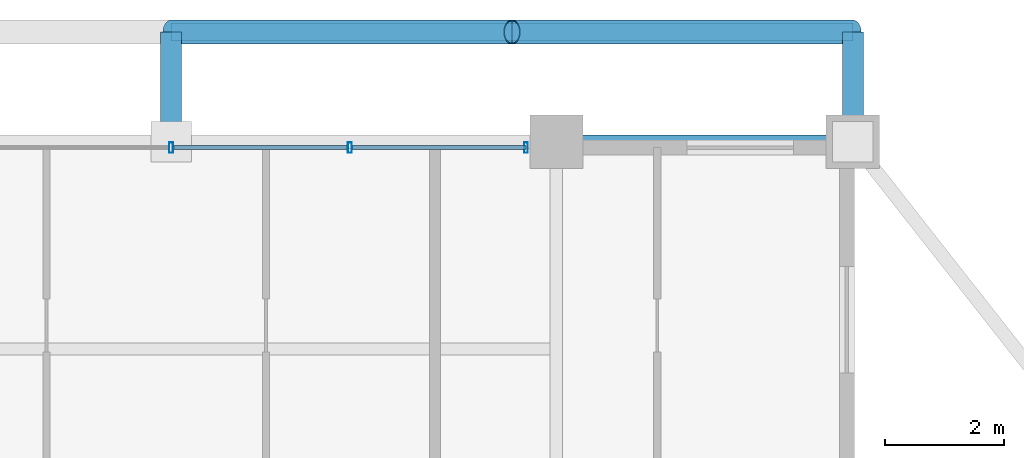
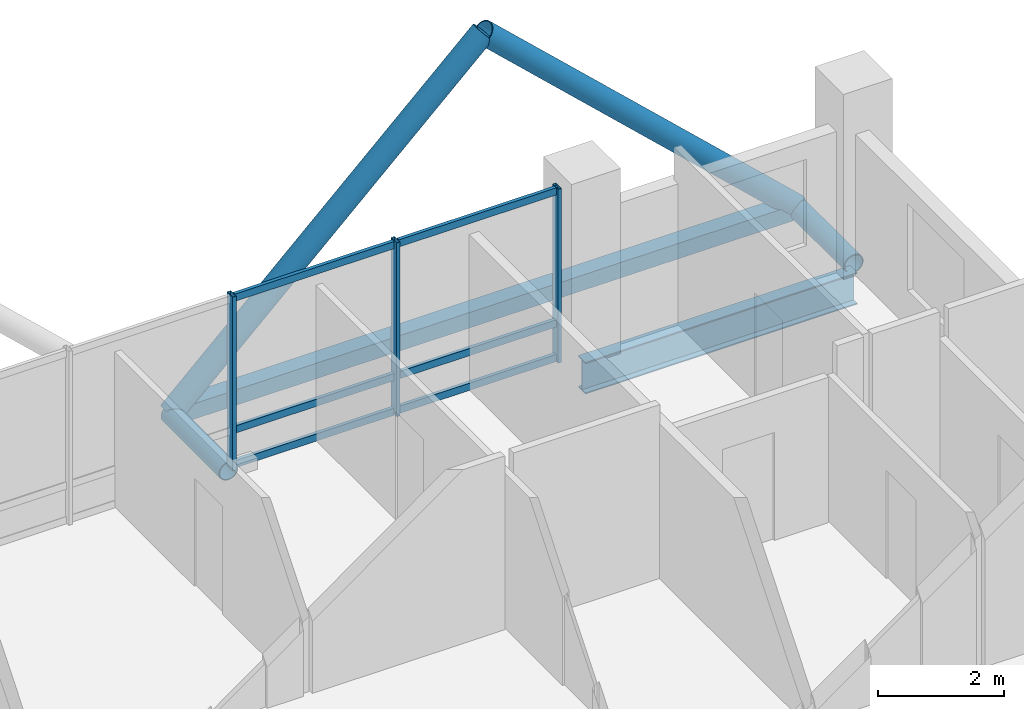
# One storey, part 17 of 24: 14 members, 1 beam, 1 element without a shape of its own.
"""IFC4 building model written with IfcOpenShell, lengths in metres."""

from ifc_helpers import new_model, si_unit, direction, frame, origin, origin_2d, place, context, subcontext, project, spatial, hollow_rectangle, hollow_circle, i_section, extrude, material, layer, layer_set, material_profile, profile_set, type_object, element, aggregate, save


model = new_model("IFC4")

# Units and contexts
model_context = context("Model", 3, precision=1e-05, world=origin(), true_north=direction((0.0, 1.0)))
body_context = subcontext(model_context, "Body", "Model", "MODEL_VIEW")
ifc_project = project(units=[si_unit("LENGTHUNIT", "METRE"), si_unit("AREAUNIT", "SQUARE_METRE"), si_unit("VOLUMEUNIT", "CUBIC_METRE"), si_unit("PLANEANGLEUNIT", "RADIAN"), si_unit("MASSUNIT", "GRAM", prefix="KILO")], contexts=[model_context])

# Site, building, storey
site_placement = place(None, origin())
site = spatial("IfcSite", under=ifc_project, at=site_placement, CompositionType="ELEMENT")
building_placement = place(site_placement, origin())
building = spatial("IfcBuilding", under=site, at=building_placement, Name="Barlavira Tower and Art Museum", CompositionType="ELEMENT")
storey_placement = place(building_placement, frame((0.0, 0.0, 251.10009765625)))
storey = spatial("IfcBuildingStorey", under=building, at=storey_placement, Name="L65", CompositionType="ELEMENT", Elevation=251.10009765625)

# Curtain wall, members
ifc_material_1 = material(Name="Low-iron coastal laminated glass", Category="glass")
ifc_layer = layer(ifc_material_1, 0.2099609375, Name="Low-iron coastal laminated glass")
ifc_layer_set = layer_set([ifc_layer], Name="Low-iron coastal laminated glass")
curtain_wall_type = type_object("IfcCurtainWallType", Name="Pale-Metal Unitised Curtain Wall Zone 4", PredefinedType="NOTDEFINED", material=ifc_layer_set)
curtain_wall_placement = place(storey_placement, origin())
curtain_wall = element("IfcCurtainWall", 1, at=curtain_wall_placement, inside=storey, type_object=curtain_wall_type, Name="L65 Curtain Wall CW4-L65-N-B2", PredefinedType="NOTDEFINED")
ifc_material_2 = material(Name="Pale anodised aluminium", Category="aluminium")
ifc_material_profile_1 = material_profile(ifc_material_2, hollow_rectangle(XDim=0.06494140625, YDim=0.179931640625, WallThickness=0.00390625, at=origin_2d()), Name="ALU-MULL 65x180x4")
ifc_profile_set_1 = profile_set([ifc_material_profile_1], Name="Pale anodised aluminium")
member_type_1 = type_object("IfcMemberType", Name="Curtain Wall Pale-Metal Mullion 65x180", PredefinedType="MULLION", material=ifc_profile_set_1)
member_1_placement = place(storey_placement, frame((5.985107421875, 19.89990234375, 0.0), z_axis=(0.0, 0.0, 1.0), x_axis=(-1.0, 0.0, 0.0)))
member_1 = element("IfcMember", 2, at=member_1_placement, type_object=member_type_1, Name="CW4-L65-N-B2 Mullion 0", PredefinedType="MULLION", context=body_context, shape_type="SweptSolid", body=[
    extrude(hollow_rectangle(XDim=0.06494140625, YDim=0.179931640625, WallThickness=0.00390625, at=origin_2d()), origin(), (0.0, 0.0, 1.0), 3.3798828125),
])
member_2_placement = place(storey_placement, frame((3.014892578125, 19.89990234375, 0.0), z_axis=(0.0, 0.0, 1.0), x_axis=(-1.0, 0.0, 0.0)))
member_2 = element("IfcMember", 3, at=member_2_placement, type_object=member_type_1, Name="CW4-L65-N-B2 Mullion 1", PredefinedType="MULLION", context=body_context, shape_type="SweptSolid", body=[
    extrude(hollow_rectangle(XDim=0.06494140625, YDim=0.179931640625, WallThickness=0.00390625, at=origin_2d()), origin(), (0.0, 0.0, 1.0), 3.3798828125),
])
member_3_placement = place(storey_placement, frame((0.0, 19.89990234375, 0.0), z_axis=(0.0, 0.0, 1.0), x_axis=(-1.0, 0.0, 0.0)))
member_3 = element("IfcMember", 4, at=member_3_placement, type_object=member_type_1, Name="CW4-L65-N-B2 Mullion 2", PredefinedType="MULLION", context=body_context, shape_type="SweptSolid", body=[
    extrude(hollow_rectangle(XDim=0.06494140625, YDim=0.179931640625, WallThickness=0.00390625, at=origin_2d()), origin(), (0.0, 0.0, 1.0), 3.3798828125),
])
ifc_material_profile_2 = material_profile(ifc_material_2, hollow_rectangle(XDim=0.06494140625, YDim=0.139892578125, WallThickness=0.00390625, at=origin_2d()), Name="ALU-TRAN 65x140x4")
ifc_profile_set_2 = profile_set([ifc_material_profile_2], Name="Pale anodised aluminium")
member_type_2 = type_object("IfcMemberType", Name="Curtain Wall Pale-Metal Transom 65x140", PredefinedType="USERDEFINED", material=ifc_profile_set_2)
member_4_placement = place(storey_placement, frame((5.985107421875, 19.89990234375, 0.06982421875), z_axis=(-1.0, 0.0, 0.0), x_axis=(0.0, -1.0, 0.0)))
member_4 = element("IfcMember", 5, at=member_4_placement, type_object=member_type_2, Name="CW4-L65-N-B2 Transom 0.1", ObjectType="TRANSOM", PredefinedType="USERDEFINED", context=body_context, shape_type="SweptSolid", body=[
    extrude(hollow_rectangle(XDim=0.06494140625, YDim=0.139892578125, WallThickness=0.00390625, at=origin_2d()), origin(), (0.0, 0.0, 1.0), 2.925048828125),
])
member_5_placement = place(storey_placement, frame((5.985107421875, 19.89990234375, 0.743896484375), z_axis=(-1.0, 0.0, 0.0), x_axis=(0.0, -1.0, 0.0)))
member_5 = element("IfcMember", 6, at=member_5_placement, type_object=member_type_2, Name="CW4-L65-N-B2 Transom 0.2", ObjectType="TRANSOM", PredefinedType="USERDEFINED", context=body_context, shape_type="SweptSolid", body=[
    extrude(hollow_rectangle(XDim=0.06494140625, YDim=0.139892578125, WallThickness=0.00390625, at=origin_2d()), origin(), (0.0, 0.0, 1.0), 2.925048828125),
])
member_6_placement = place(storey_placement, frame((5.985107421875, 19.89990234375, 3.309814453125), z_axis=(-1.0, 0.0, 0.0), x_axis=(0.0, -1.0, 0.0)))
member_6 = element("IfcMember", 7, at=member_6_placement, type_object=member_type_2, Name="CW4-L65-N-B2 Transom 0.3", ObjectType="TRANSOM", PredefinedType="USERDEFINED", context=body_context, shape_type="SweptSolid", body=[
    extrude(hollow_rectangle(XDim=0.06494140625, YDim=0.139892578125, WallThickness=0.00390625, at=origin_2d()), origin(), (0.0, 0.0, 1.0), 2.925048828125),
])
member_7_placement = place(storey_placement, frame((2.969970703125, 19.89990234375, 0.06982421875), z_axis=(-1.0, 0.0, 0.0), x_axis=(0.0, -1.0, 0.0)))
member_7 = element("IfcMember", 8, at=member_7_placement, type_object=member_type_2, Name="CW4-L65-N-B2 Transom 1.1", ObjectType="TRANSOM", PredefinedType="USERDEFINED", context=body_context, shape_type="SweptSolid", body=[
    extrude(hollow_rectangle(XDim=0.06494140625, YDim=0.139892578125, WallThickness=0.00390625, at=origin_2d()), origin(), (0.0, 0.0, 1.0), 2.925048828125),
])
member_8_placement = place(storey_placement, frame((2.969970703125, 19.89990234375, 0.743896484375), z_axis=(-1.0, 0.0, 0.0), x_axis=(0.0, -1.0, 0.0)))
member_8 = element("IfcMember", 9, at=member_8_placement, type_object=member_type_2, Name="CW4-L65-N-B2 Transom 1.2", ObjectType="TRANSOM", PredefinedType="USERDEFINED", context=body_context, shape_type="SweptSolid", body=[
    extrude(hollow_rectangle(XDim=0.06494140625, YDim=0.139892578125, WallThickness=0.00390625, at=origin_2d()), origin(), (0.0, 0.0, 1.0), 2.925048828125),
])
member_9_placement = place(storey_placement, frame((2.969970703125, 19.89990234375, 3.309814453125), z_axis=(-1.0, 0.0, 0.0), x_axis=(0.0, -1.0, 0.0)))
member_9 = element("IfcMember", 10, at=member_9_placement, type_object=member_type_2, Name="CW4-L65-N-B2 Transom 1.3", ObjectType="TRANSOM", PredefinedType="USERDEFINED", context=body_context, shape_type="SweptSolid", body=[
    extrude(hollow_rectangle(XDim=0.06494140625, YDim=0.139892578125, WallThickness=0.00390625, at=origin_2d()), origin(), (0.0, 0.0, 1.0), 2.925048828125),
])
aggregate(curtain_wall, [member_1, member_2, member_3, member_4, member_5, member_6, member_7, member_8, member_9])

# Members
ifc_material_3 = material(Name="Steel S355", Category="steel")
ifc_material_profile_3 = material_profile(ifc_material_3, hollow_circle(Radius=0.203125, WallThickness=0.01611328125, at=origin_2d()), Name="CHS 406.4x16.0")
ifc_profile_set_3 = profile_set([ifc_material_profile_3], Name="Steel S355")
member_type_3 = type_object("IfcMemberType", Name="Pale-Metal Exoskeleton Diagrid Tube CHS 406x16 Steel S355", PredefinedType="BRACE", material=ifc_profile_set_3)
for number, where, z_axis, x_axis, name in (
    (11, (0.0, 21.85009765625, -0.1201171875), (0.728950095515, 0.0, 0.684566839869), (0.0, 1.0, 0.0), "L65 Exoskeleton Diagrid Tube N"),
    (12, (11.5, 21.85009765625, -0.1201171875), (-0.728950095515, 0.0, 0.684566839869), (0.0, -1.0, 0.0), "L65 Exoskeleton Diagrid Tube N"),
):
    element("IfcMember", number, at=place(storey_placement, frame(where, z_axis=z_axis, x_axis=x_axis)), inside=storey, type_object=member_type_3, Name=name, PredefinedType="BRACE", context=body_context, shape_type="SweptSolid", body=[
        extrude(hollow_circle(Radius=0.203125, WallThickness=0.01611328125, at=origin_2d()), origin(), (0.0, 0.0, 1.0), 7.887939453125),
    ])
ifc_material_profile_4 = material_profile(ifc_material_3, hollow_circle(Radius=0.177734375, WallThickness=0.01611328125, at=origin_2d()), Name="CHS 355.6x16.0")
ifc_profile_set_4 = profile_set([ifc_material_profile_4], Name="Steel S355")
member_type_4 = type_object("IfcMemberType", Name="Pale-Metal Exoskeleton Tie Strut CHS 356x16 Steel S355", PredefinedType="STRUT", material=ifc_profile_set_4)
for number, where, z_axis, x_axis, name in (
    (13, (0.0, 21.85009765625, -0.1201171875), (0.0, -1.0, 0.0), (1.0, 0.0, 0.0), "L65 Exoskeleton Tie Strut N2"),
    (14, (11.5, 21.85009765625, -0.1201171875), (0.0, -1.0, 0.0), (1.0, 0.0, 0.0), "L65 Exoskeleton Tie Strut N3"),
):
    element("IfcMember", number, at=place(storey_placement, frame(where, z_axis=z_axis, x_axis=x_axis)), inside=storey, type_object=member_type_4, Name=name, PredefinedType="STRUT", context=body_context, shape_type="SweptSolid", body=[
        extrude(hollow_circle(Radius=0.177734375, WallThickness=0.01611328125, at=origin_2d()), origin(), (0.0, 0.0, 1.0), 1.85009765625),
    ])
ifc_material_profile_5 = material_profile(ifc_material_3, hollow_rectangle(XDim=0.300048828125, YDim=0.300048828125, WallThickness=0.01611328125, at=origin_2d()), Name="SHS 300x300x16.0")
ifc_profile_set_5 = profile_set([ifc_material_profile_5], Name="Steel S355")
member_type_5 = type_object("IfcMemberType", Name="Pale-Metal Upper Ring Strut SHS 300x300x16 Steel S355", PredefinedType="STRUT", material=ifc_profile_set_5)
member_10_placement = place(storey_placement, frame((0.0, 21.85009765625, -0.1201171875), z_axis=(1.0, 0.0, 0.0), x_axis=(0.0, 1.0, 0.0)))
element("IfcMember", 15, at=member_10_placement, inside=storey, type_object=member_type_5, Name="L65 Exoskeleton Ring Strut N", PredefinedType="STRUT", context=body_context, shape_type="SweptSolid", body=[
    extrude(hollow_rectangle(XDim=0.300048828125, YDim=0.300048828125, WallThickness=0.01611328125, at=origin_2d()), origin(), (0.0, 0.0, 1.0), 11.5),
])

# Beam
ifc_material_profile_6 = material_profile(ifc_material_3, i_section(OverallWidth=0.22998046875, OverallDepth=0.616943359375, WebThickness=0.01318359375, FlangeThickness=0.022216796875, at=origin_2d()), Name="W610x140.0")
ifc_profile_set_6 = profile_set([ifc_material_profile_6], Name="Steel S355")
beam_type = type_object("IfcBeamType", Name="Upper Shaft Spandrel Edge Beam W610x140 Steel S355", PredefinedType="SPANDREL", material=ifc_profile_set_6)
beam_placement = place(storey_placement, frame((6.5, 20.0, -0.528564453125), z_axis=(1.0, 0.0, 0.0), x_axis=(0.0, 1.0, 0.0)))
element("IfcBeam", 16, at=beam_placement, inside=storey, type_object=beam_type, Name="L65 Spandrel 9", PredefinedType="SPANDREL", context=body_context, shape_type="SweptSolid", body=[
    extrude(i_section(OverallWidth=0.22998046875, OverallDepth=0.616943359375, WebThickness=0.01318359375, FlangeThickness=0.022216796875, at=origin_2d()), origin(), (0.0, 0.0, 1.0), 5.0),
])

save(model, "model.ifc")
